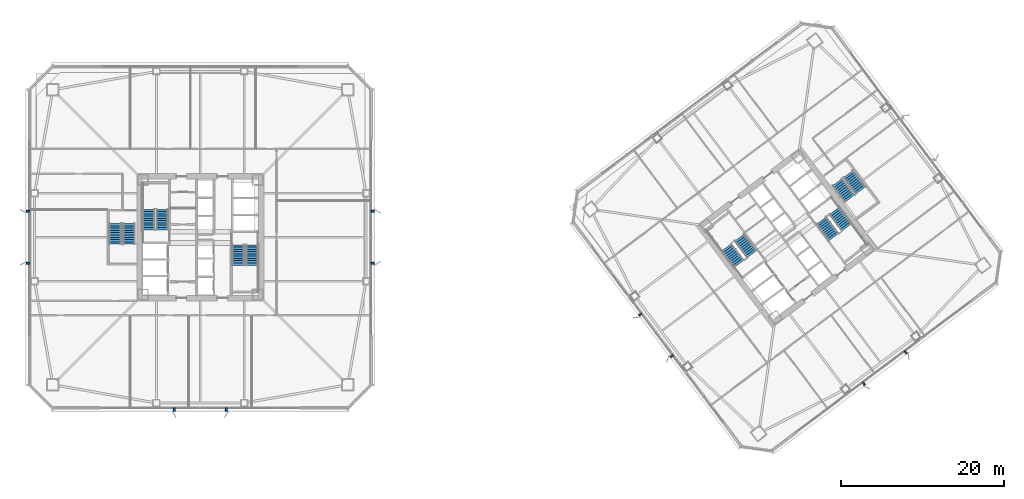
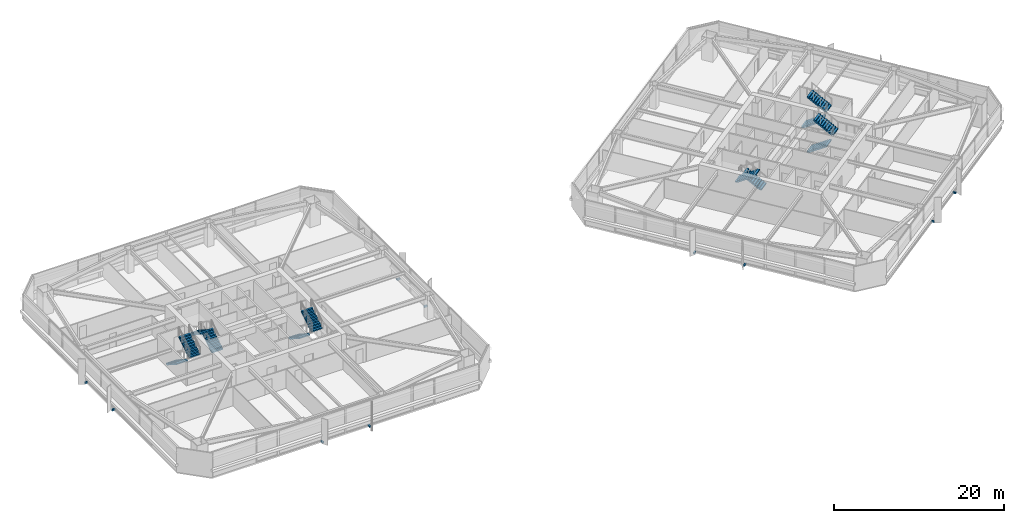
# One storey, part 40 of 49: 12 stair flights, 10 discrete accessories, 6 elements without a shape of their own.
"""IFC4 building model written with IfcOpenShell, lengths in metres."""

import ifcopenshell
import ifcopenshell.guid

model = None  # the IFC model being written
_history = None  # IfcOwnerHistory: only IFC2X3 demands one
_inside = {}  # id of a spatial element -> (the spatial element, [elements in it])
_under = {}  # id of a project, library or spatial element -> (it, [spatial elements below it])
_declared = {}  # id of a project -> (the project, [libraries it declares])
_typed = {}  # id of a type object -> (the type object, [elements of that type])
_made_of = {}  # id of a material, layer set ... -> (it, [elements and type objects made of it])


def new_model(schema):
    """Start an empty IFC model of exactly this schema.

    Asked for "IFC4X3", IfcOpenShell would pick the latest addendum, in which some entities
    have other attributes; the version numbers below select the first issue.
    IFC2X3 requires an IfcOwnerHistory on every rooted entity: one is made here for all.
    """
    global model, _history
    if schema == "IFC4X3":
        model = ifcopenshell.file(schema_version=(4, 3, 0, 0))
    else:
        model = ifcopenshell.file(schema=schema)
    _inside.clear()
    _under.clear()
    _declared.clear()
    _typed.clear()
    _made_of.clear()
    _history = None
    if model.schema == "IFC2X3":
        org = make("IfcOrganization", Name="unknown")
        user = make(
            "IfcPersonAndOrganization",
            ThePerson=make("IfcPerson", FamilyName="unknown"),
            TheOrganization=org,
        )
        app = make(
            "IfcApplication",
            ApplicationDeveloper=org,
            Version="unknown",
            ApplicationFullName="unknown",
            ApplicationIdentifier="unknown",
        )
        _history = make(
            "IfcOwnerHistory",
            OwningUser=user,
            OwningApplication=app,
            ChangeAction="ADDED",
            CreationDate=0,
        )
    return model


def make(cls, **values):
    """One entity of the class cls with the attributes given. An attribute that is None is left unset."""
    return model.create_entity(
        cls, **{name: value for name, value in values.items() if value is not None}
    )


def rooted(cls, **values):
    """An entity with a GlobalId (a new one), such as an element, a storey or a relation."""
    return make(cls, GlobalId=ifcopenshell.guid.new(), OwnerHistory=_history, **values)


def si_unit(unit_type, name, prefix=None):
    """IfcSIUnit, for example si_unit("LENGTHUNIT", "METRE", prefix="MILLI")."""
    return make("IfcSIUnit", UnitType=unit_type, Prefix=prefix, Name=name)


def assignment(units):
    """IfcUnitAssignment: the units of a project."""
    return None if units is None else make("IfcUnitAssignment", Units=units)


def point(xyz):
    """IfcCartesianPoint."""
    return None if xyz is None else make("IfcCartesianPoint", Coordinates=xyz)


def direction(xyz):
    """IfcDirection."""
    return None if xyz is None else make("IfcDirection", DirectionRatios=xyz)


def frame(location, z_axis=None, x_axis=None):
    """IfcAxis2Placement3D, a coordinate frame: its origin and axes. An axis left out is left unset."""
    return make(
        "IfcAxis2Placement3D",
        Location=point(location),
        Axis=direction(z_axis),
        RefDirection=direction(x_axis),
    )


def frame_2d(location, x_axis=None):
    """IfcAxis2Placement2D, a coordinate frame in the plane: its origin and x axis."""
    return make(
        "IfcAxis2Placement2D", Location=point(location), RefDirection=direction(x_axis)
    )


def origin():
    """The frame at (0, 0, 0) with its axes left unset."""
    return frame((0.0, 0.0, 0.0))


def origin_2d():
    """The frame at (0, 0) in the plane with its x axis left unset."""
    return frame_2d((0.0, 0.0))


def place(relative_to, where):
    """IfcLocalPlacement: puts the frame where relative to a parent placement (None: the world)."""
    return make(
        "IfcLocalPlacement", PlacementRelTo=relative_to, RelativePlacement=where
    )


def context(
    kind, dimensions, precision=None, world=None, true_north=None, identifier=None
):
    """IfcGeometricRepresentationContext, for example the 3D "Model" context."""
    return make(
        "IfcGeometricRepresentationContext",
        ContextIdentifier=identifier,
        ContextType=kind,
        CoordinateSpaceDimension=dimensions,
        Precision=precision,
        WorldCoordinateSystem=world,
        TrueNorth=true_north,
    )


def subcontext(parent, identifier, kind, view, scale=None):
    """IfcGeometricRepresentationSubContext, for example "Body" below "Model"."""
    return make(
        "IfcGeometricRepresentationSubContext",
        ContextIdentifier=identifier,
        ContextType=kind,
        ParentContext=parent,
        TargetScale=scale,
        TargetView=view,
    )


def project(units=None, contexts=None):
    """IfcProject with its units and contexts."""
    return rooted(
        "IfcProject",
        Name="project",
        RepresentationContexts=contexts,
        UnitsInContext=assignment(units),
    )


def spatial(cls, under=None, at=None, **own):
    """A site, building, storey or space (cls), placed at a placement, below another one or the project."""
    s = rooted(cls, ObjectPlacement=at, **own)
    if under is not None:
        _under.setdefault(under.id(), (under, []))[1].append(s)
    return s


def polyline(points):
    """IfcPolyline through the points."""
    return make("IfcPolyline", Points=[point(p) for p in points])


def profile(cls, at=None, kind="AREA", **sizes):
    """A parametric profile (cls). Its sizes go by their IFC names, for example OverallWidth=200.0."""
    return make(cls, ProfileType=kind, Position=at, **sizes)


def rectangle(**sizes):
    """IfcRectangleProfileDef."""
    return profile("IfcRectangleProfileDef", **sizes)


def outline(outer, holes=None, kind="AREA"):
    """IfcArbitraryClosedProfileDef: a profile drawn as a closed curve; with holes, ...WithVoids."""
    if holes is None:
        return make("IfcArbitraryClosedProfileDef", ProfileType=kind, OuterCurve=outer)
    return make(
        "IfcArbitraryProfileDefWithVoids",
        ProfileType=kind,
        OuterCurve=outer,
        InnerCurves=holes,
    )


def extrude(swept, where, along, depth):
    """IfcExtrudedAreaSolid: the profile swept, set in the frame where, extruded along a direction by depth."""
    return make(
        "IfcExtrudedAreaSolid",
        SweptArea=swept,
        Position=where,
        ExtrudedDirection=direction(along),
        Depth=depth,
    )


def shape(context_of_items, identifier, shape_type, items):
    """IfcShapeRepresentation: the items that make up one representation, for example the "Body"."""
    return make(
        "IfcShapeRepresentation",
        ContextOfItems=context_of_items,
        RepresentationIdentifier=identifier,
        RepresentationType=shape_type,
        Items=items,
    )


def material(Name=None, Category=None):
    """IfcMaterial."""
    return make("IfcMaterial", Name=Name, Category=Category)


def made_of(thing, what):
    """Note that an element or type object is made of a material, layer set ...; save() writes the relation."""
    if what is not None:
        _made_of.setdefault(what.id(), (what, []))[1].append(thing)
    return thing


def type_object(cls, material=None, **own):
    """A type object (cls), such as IfcWallType, which elements share."""
    return made_of(rooted(cls, **own), material)


def element(
    cls,
    number,
    at=None,
    inside=None,
    cuts=None,
    type_object=None,
    material=None,
    context=None,
    identifier="Body",
    shape_type=None,
    held_by="IfcProductDefinitionShape",
    body=None,
    shapes=None,
    **own,
):
    """One element of the class cls, such as IfcWall. Its Tag is "e" and its number.

    at: its placement. inside: the storey or other place that contains it. cuts: it is an
    opening in that element (IfcRelVoidsElement). A single representation is given by context,
    identifier, shape_type and body (its items); several are given by shapes. held_by: the class
    of the entity that holds the representations. save() writes the other relations.
    """
    e = rooted(cls, Tag="e%d" % number, ObjectPlacement=at, **own)
    if body is not None:
        shapes = [shape(context, identifier, shape_type, body)]
    if shapes is not None:
        e.Representation = make(held_by, Representations=shapes)
    if inside is not None:
        _inside.setdefault(inside.id(), (inside, []))[1].append(e)
    if cuts is not None:
        rooted(
            "IfcRelVoidsElement", RelatingBuildingElement=cuts, RelatedOpeningElement=e
        )
    if type_object is not None:
        _typed.setdefault(type_object.id(), (type_object, []))[1].append(e)
    return made_of(e, material)


def aggregate(whole, parts):
    """IfcRelAggregates: a whole, such as a stair, and the parts it consists of."""
    return rooted("IfcRelAggregates", RelatingObject=whole, RelatedObjects=parts)


def save(model, path):
    """Write the relations noted so far, then the file.

    IfcRelAggregates (storeys below a building ...), IfcRelContainedInSpatialStructure (elements
    in a storey), IfcRelDefinesByType, IfcRelAssociatesMaterial and IfcRelDeclares: one each for
    every whole, place, type object, material and project.
    """
    for whole, parts in _under.values():
        aggregate(whole, parts)
    for where, things in _inside.values():
        rooted(
            "IfcRelContainedInSpatialStructure",
            RelatedElements=things,
            RelatingStructure=where,
        )
    for kind, things in _typed.values():
        rooted("IfcRelDefinesByType", RelatedObjects=things, RelatingType=kind)
    for what, things in _made_of.values():
        rooted("IfcRelAssociatesMaterial", RelatedObjects=things, RelatingMaterial=what)
    for by, libraries in _declared.values():
        rooted("IfcRelDeclares", RelatingContext=by, RelatedDefinitions=libraries)
    model.write(path)


model = new_model("IFC4")

# Units and contexts
model_context = context("Model", 3, precision=1e-05, world=origin(), true_north=direction((0.0, 1.0)))
body_context = subcontext(model_context, "Body", "Model", "MODEL_VIEW")
ifc_project = project(units=[si_unit("LENGTHUNIT", "METRE"), si_unit("AREAUNIT", "SQUARE_METRE"), si_unit("VOLUMEUNIT", "CUBIC_METRE"), si_unit("PLANEANGLEUNIT", "RADIAN"), si_unit("MASSUNIT", "GRAM", prefix="KILO")], contexts=[model_context])

# Site, building, storey
site_placement = place(None, origin())
site = spatial("IfcSite", under=ifc_project, at=site_placement, CompositionType="ELEMENT")
building_placement = place(site_placement, origin())
building = spatial("IfcBuilding", under=site, at=building_placement, Name="Tashvorn Skyway Center", CompositionType="ELEMENT")
storey_placement = place(building_placement, frame((0.0, 0.0, 70.75)))
storey = spatial("IfcBuildingStorey", under=building, at=storey_placement, Name="L18", CompositionType="ELEMENT", Elevation=70.75)

# Stair, stair flights
ifc_material_1 = material(Name="Concrete C40/50", Category="concrete")
stair_type = type_object("IfcStairType", Name="STAIR-CORE-1500", PredefinedType="HALF_TURN_STAIR", material=ifc_material_1)
stair_1_placement = place(storey_placement, origin())
stair_1 = element("IfcStair", 1, at=stair_1_placement, inside=storey, type_object=stair_type, Name="L18 Tower 1 Exit Stair 1", PredefinedType="HALF_TURN_STAIR")
stair_flight_type = type_object("IfcStairFlightType", Name="SFLIGHT-1500", PredefinedType="STRAIGHT", material=ifc_material_1)
stair_flight_1_placement = place(storey_placement, frame((37.35009765625, 32.919921875, 0.0), z_axis=(0.0, 0.0, 1.0), x_axis=(0.0, 1.0, 0.0)))
stair_flight_1 = element("IfcStairFlight", 2, at=stair_flight_1_placement, type_object=stair_flight_type, Name="ST-T1-1 flight 1", NumberOfRisers=10, NumberOfTreads=9, PredefinedType="STRAIGHT", RiserHeight=0.1775, TreadLength=0.28, context=body_context, shape_type="SweptSolid", body=[
    extrude(outline(polyline([(0.0, 0.0), (0.0, 0.177490234375), (0.280029296875, 0.177490234375), (0.280029296875, 0.35498046875), (0.56005859375, 0.35498046875), (0.56005859375, 0.532470703125), (0.840087890625, 0.532470703125), (0.840087890625, 0.7099609375), (1.1201171875, 0.7099609375), (1.1201171875, 0.887451171875), (1.39990234375, 0.887451171875), (1.39990234375, 1.06494140625), (1.679931640625, 1.06494140625), (1.679931640625, 1.242431640625), (1.9599609375, 1.242431640625), (1.9599609375, 1.419921875), (2.239990234375, 1.419921875), (2.239990234375, 1.597412109375), (2.52001953125, 1.597412109375), (2.52001953125, 1.77490234375), (2.52001953125, 1.419921875), (0.280029296875, 0.0), (0.0, 0.0)])), frame((0.0, 0.75, 0.0), z_axis=(0.0, -1.0, 0.0), x_axis=(1.0, 0.0, 0.0)), (0.0, 0.0, 1.0), 1.5),
])
stair_flight_2_placement = place(storey_placement, frame((35.64990234375, 35.43994140625, 1.77490234375), z_axis=(0.0, 0.0, 1.0), x_axis=(0.0, -1.0, 0.0)))
stair_flight_2 = element("IfcStairFlight", 3, at=stair_flight_2_placement, type_object=stair_flight_type, Name="ST-T1-1 flight 2", NumberOfRisers=10, NumberOfTreads=9, PredefinedType="STRAIGHT", RiserHeight=0.1775, TreadLength=0.28, context=body_context, shape_type="SweptSolid", body=[
    extrude(outline(polyline([(0.0, 0.0), (0.0, 0.177490234375), (0.280029296875, 0.177490234375), (0.280029296875, 0.35498046875), (0.56005859375, 0.35498046875), (0.56005859375, 0.532470703125), (0.840087890625, 0.532470703125), (0.840087890625, 0.7099609375), (1.1201171875, 0.7099609375), (1.1201171875, 0.887451171875), (1.39990234375, 0.887451171875), (1.39990234375, 1.06494140625), (1.679931640625, 1.06494140625), (1.679931640625, 1.242431640625), (1.9599609375, 1.242431640625), (1.9599609375, 1.419921875), (2.239990234375, 1.419921875), (2.239990234375, 1.597412109375), (2.52001953125, 1.597412109375), (2.52001953125, 1.77490234375), (2.52001953125, 1.419921875), (0.280029296875, 0.0), (0.0, 0.0)])), frame((0.0, 0.75, 0.0), z_axis=(0.0, -1.0, 0.0), x_axis=(1.0, 0.0, 0.0)), (0.0, 0.0, 1.0), 1.5),
])
aggregate(stair_1, [stair_flight_1, stair_flight_2])

stair_2_placement = place(storey_placement, origin())
stair_2 = element("IfcStair", 4, at=stair_2_placement, inside=storey, type_object=stair_type, Name="L18 Tower 1 Exit Stair 2", PredefinedType="HALF_TURN_STAIR")
stair_flight_3_placement = place(storey_placement, frame((46.64990234375, 31.080078125, 0.0), z_axis=(0.0, 0.0, 1.0), x_axis=(0.0, -1.0, 0.0)))
stair_flight_3 = element("IfcStairFlight", 5, at=stair_flight_3_placement, type_object=stair_flight_type, Name="ST-T1-2 flight 1", NumberOfRisers=10, NumberOfTreads=9, PredefinedType="STRAIGHT", RiserHeight=0.1775, TreadLength=0.28, context=body_context, shape_type="SweptSolid", body=[
    extrude(outline(polyline([(0.0, 0.0), (0.0, 0.177490234375), (0.280029296875, 0.177490234375), (0.280029296875, 0.35498046875), (0.56005859375, 0.35498046875), (0.56005859375, 0.532470703125), (0.840087890625, 0.532470703125), (0.840087890625, 0.7099609375), (1.1201171875, 0.7099609375), (1.1201171875, 0.887451171875), (1.39990234375, 0.887451171875), (1.39990234375, 1.06494140625), (1.679931640625, 1.06494140625), (1.679931640625, 1.242431640625), (1.9599609375, 1.242431640625), (1.9599609375, 1.419921875), (2.239990234375, 1.419921875), (2.239990234375, 1.597412109375), (2.52001953125, 1.597412109375), (2.52001953125, 1.77490234375), (2.52001953125, 1.419921875), (0.280029296875, 0.0), (0.0, 0.0)])), frame((0.0, 0.75, 0.0), z_axis=(0.0, -1.0, 0.0), x_axis=(1.0, 0.0, 0.0)), (0.0, 0.0, 1.0), 1.5),
])
stair_flight_4_placement = place(storey_placement, frame((48.35009765625, 28.56005859375, 1.77490234375), z_axis=(0.0, 0.0, 1.0), x_axis=(0.0, 1.0, 0.0)))
stair_flight_4 = element("IfcStairFlight", 6, at=stair_flight_4_placement, type_object=stair_flight_type, Name="ST-T1-2 flight 2", NumberOfRisers=10, NumberOfTreads=9, PredefinedType="STRAIGHT", RiserHeight=0.1775, TreadLength=0.28, context=body_context, shape_type="SweptSolid", body=[
    extrude(outline(polyline([(0.0, 0.0), (0.0, 0.177490234375), (0.280029296875, 0.177490234375), (0.280029296875, 0.35498046875), (0.56005859375, 0.35498046875), (0.56005859375, 0.532470703125), (0.840087890625, 0.532470703125), (0.840087890625, 0.7099609375), (1.1201171875, 0.7099609375), (1.1201171875, 0.887451171875), (1.39990234375, 0.887451171875), (1.39990234375, 1.06494140625), (1.679931640625, 1.06494140625), (1.679931640625, 1.242431640625), (1.9599609375, 1.242431640625), (1.9599609375, 1.419921875), (2.239990234375, 1.419921875), (2.239990234375, 1.597412109375), (2.52001953125, 1.597412109375), (2.52001953125, 1.77490234375), (2.52001953125, 1.419921875), (0.280029296875, 0.0), (0.0, 0.0)])), frame((0.0, 0.75, 0.0), z_axis=(0.0, -1.0, 0.0), x_axis=(1.0, 0.0, 0.0)), (0.0, 0.0, 1.0), 1.5),
])
aggregate(stair_2, [stair_flight_3, stair_flight_4])

stair_3_placement = place(storey_placement, origin())
stair_3 = element("IfcStair", 7, at=stair_3_placement, inside=storey, type_object=stair_type, Name="L18 Tower 2 Exit Stair 1", PredefinedType="HALF_TURN_STAIR")
stair_flight_5_placement = place(storey_placement, frame((109.72802734375, 29.946044921875, 0.0), z_axis=(0.0, 0.0, 1.0), x_axis=(-0.600000004945, 0.799999996291, 0.0)))
stair_flight_5 = element("IfcStairFlight", 8, at=stair_flight_5_placement, type_object=stair_flight_type, Name="ST-T2-1 flight 1", NumberOfRisers=10, NumberOfTreads=9, PredefinedType="STRAIGHT", RiserHeight=0.1775, TreadLength=0.28, context=body_context, shape_type="SweptSolid", body=[
    extrude(outline(polyline([(0.0, 0.0), (0.0, 0.177490234375), (0.280029296875, 0.177490234375), (0.280029296875, 0.35498046875), (0.56005859375, 0.35498046875), (0.56005859375, 0.532470703125), (0.840087890625, 0.532470703125), (0.840087890625, 0.7099609375), (1.1201171875, 0.7099609375), (1.1201171875, 0.887451171875), (1.39990234375, 0.887451171875), (1.39990234375, 1.06494140625), (1.679931640625, 1.06494140625), (1.679931640625, 1.242431640625), (1.9599609375, 1.242431640625), (1.9599609375, 1.419921875), (2.239990234375, 1.419921875), (2.239990234375, 1.597412109375), (2.52001953125, 1.597412109375), (2.52001953125, 1.77490234375), (2.52001953125, 1.419921875), (0.280029296875, 0.0), (0.0, 0.0)])), frame((0.0, 0.75, 0.0), z_axis=(0.0, -1.0, 0.0), x_axis=(1.0, 0.0, 0.0)), (0.0, 0.0, 1.0), 1.5),
])
stair_flight_6_placement = place(storey_placement, frame((106.632080078125, 30.77392578125, 1.77490234375), z_axis=(0.0, 0.0, 1.0), x_axis=(0.600000004945, -0.799999996291, 0.0)))
stair_flight_6 = element("IfcStairFlight", 9, at=stair_flight_6_placement, type_object=stair_flight_type, Name="ST-T2-1 flight 2", NumberOfRisers=10, NumberOfTreads=9, PredefinedType="STRAIGHT", RiserHeight=0.1775, TreadLength=0.28, context=body_context, shape_type="SweptSolid", body=[
    extrude(outline(polyline([(0.0, 0.0), (0.0, 0.177490234375), (0.280029296875, 0.177490234375), (0.280029296875, 0.35498046875), (0.56005859375, 0.35498046875), (0.56005859375, 0.532470703125), (0.840087890625, 0.532470703125), (0.840087890625, 0.7099609375), (1.1201171875, 0.7099609375), (1.1201171875, 0.887451171875), (1.39990234375, 0.887451171875), (1.39990234375, 1.06494140625), (1.679931640625, 1.06494140625), (1.679931640625, 1.242431640625), (1.9599609375, 1.242431640625), (1.9599609375, 1.419921875), (2.239990234375, 1.419921875), (2.239990234375, 1.597412109375), (2.52001953125, 1.597412109375), (2.52001953125, 1.77490234375), (2.52001953125, 1.419921875), (0.280029296875, 0.0), (0.0, 0.0)])), frame((0.0, 0.75, 0.0), z_axis=(0.0, -1.0, 0.0), x_axis=(1.0, 0.0, 0.0)), (0.0, 0.0, 1.0), 1.5),
])
aggregate(stair_3, [stair_flight_5, stair_flight_6])

stair_4_placement = place(storey_placement, origin())
stair_4 = element("IfcStair", 10, at=stair_4_placement, inside=storey, type_object=stair_type, Name="L18 Tower 2 Exit Stair 2", PredefinedType="HALF_TURN_STAIR")
stair_flight_7_placement = place(storey_placement, frame((118.27197265625, 34.053955078125, 0.0), z_axis=(0.0, 0.0, 1.0), x_axis=(0.600000004945, -0.799999996291, 0.0)))
stair_flight_7 = element("IfcStairFlight", 11, at=stair_flight_7_placement, type_object=stair_flight_type, Name="ST-T2-2 flight 1", NumberOfRisers=10, NumberOfTreads=9, PredefinedType="STRAIGHT", RiserHeight=0.1775, TreadLength=0.28, context=body_context, shape_type="SweptSolid", body=[
    extrude(outline(polyline([(0.0, 0.0), (0.0, 0.177490234375), (0.280029296875, 0.177490234375), (0.280029296875, 0.35498046875), (0.56005859375, 0.35498046875), (0.56005859375, 0.532470703125), (0.840087890625, 0.532470703125), (0.840087890625, 0.7099609375), (1.1201171875, 0.7099609375), (1.1201171875, 0.887451171875), (1.39990234375, 0.887451171875), (1.39990234375, 1.06494140625), (1.679931640625, 1.06494140625), (1.679931640625, 1.242431640625), (1.9599609375, 1.242431640625), (1.9599609375, 1.419921875), (2.239990234375, 1.419921875), (2.239990234375, 1.597412109375), (2.52001953125, 1.597412109375), (2.52001953125, 1.77490234375), (2.52001953125, 1.419921875), (0.280029296875, 0.0), (0.0, 0.0)])), frame((0.0, 0.75, 0.0), z_axis=(0.0, -1.0, 0.0), x_axis=(1.0, 0.0, 0.0)), (0.0, 0.0, 1.0), 1.5),
])
stair_flight_8_placement = place(storey_placement, frame((121.367919921875, 33.22607421875, 1.77490234375), z_axis=(0.0, 0.0, 1.0), x_axis=(-0.600000004945, 0.799999996291, 0.0)))
stair_flight_8 = element("IfcStairFlight", 12, at=stair_flight_8_placement, type_object=stair_flight_type, Name="ST-T2-2 flight 2", NumberOfRisers=10, NumberOfTreads=9, PredefinedType="STRAIGHT", RiserHeight=0.1775, TreadLength=0.28, context=body_context, shape_type="SweptSolid", body=[
    extrude(outline(polyline([(0.0, 0.0), (0.0, 0.177490234375), (0.280029296875, 0.177490234375), (0.280029296875, 0.35498046875), (0.56005859375, 0.35498046875), (0.56005859375, 0.532470703125), (0.840087890625, 0.532470703125), (0.840087890625, 0.7099609375), (1.1201171875, 0.7099609375), (1.1201171875, 0.887451171875), (1.39990234375, 0.887451171875), (1.39990234375, 1.06494140625), (1.679931640625, 1.06494140625), (1.679931640625, 1.242431640625), (1.9599609375, 1.242431640625), (1.9599609375, 1.419921875), (2.239990234375, 1.419921875), (2.239990234375, 1.597412109375), (2.52001953125, 1.597412109375), (2.52001953125, 1.77490234375), (2.52001953125, 1.419921875), (0.280029296875, 0.0), (0.0, 0.0)])), frame((0.0, 0.75, 0.0), z_axis=(0.0, -1.0, 0.0), x_axis=(1.0, 0.0, 0.0)), (0.0, 0.0, 1.0), 1.5),
])
aggregate(stair_4, [stair_flight_7, stair_flight_8])

stair_5_placement = place(storey_placement, origin())
stair_5 = element("IfcStair", 13, at=stair_5_placement, inside=storey, type_object=stair_type, Name="L18 Tower 1 Exit Stair 3", PredefinedType="HALF_TURN_STAIR")
stair_flight_9_placement = place(storey_placement, frame((31.550048828125, 33.679931640625, 0.0), z_axis=(0.0, 0.0, 1.0), x_axis=(0.0, -1.0, 0.0)))
stair_flight_9 = element("IfcStairFlight", 14, at=stair_flight_9_placement, type_object=stair_flight_type, Name="ST-T1-3 flight 1", NumberOfRisers=10, NumberOfTreads=9, PredefinedType="STRAIGHT", RiserHeight=0.1775, TreadLength=0.28, context=body_context, shape_type="SweptSolid", body=[
    extrude(outline(polyline([(0.0, 0.0), (0.0, 0.177490234375), (0.280029296875, 0.177490234375), (0.280029296875, 0.35498046875), (0.56005859375, 0.35498046875), (0.56005859375, 0.532470703125), (0.840087890625, 0.532470703125), (0.840087890625, 0.7099609375), (1.1201171875, 0.7099609375), (1.1201171875, 0.887451171875), (1.39990234375, 0.887451171875), (1.39990234375, 1.06494140625), (1.679931640625, 1.06494140625), (1.679931640625, 1.242431640625), (1.9599609375, 1.242431640625), (1.9599609375, 1.419921875), (2.239990234375, 1.419921875), (2.239990234375, 1.597412109375), (2.52001953125, 1.597412109375), (2.52001953125, 1.77490234375), (2.52001953125, 1.419921875), (0.280029296875, 0.0), (0.0, 0.0)])), frame((0.0, 0.75, 0.0), z_axis=(0.0, -1.0, 0.0), x_axis=(1.0, 0.0, 0.0)), (0.0, 0.0, 1.0), 1.5),
])
stair_flight_10_placement = place(storey_placement, frame((33.25, 31.159912109375, 1.77490234375), z_axis=(0.0, 0.0, 1.0), x_axis=(0.0, 1.0, 0.0)))
stair_flight_10 = element("IfcStairFlight", 15, at=stair_flight_10_placement, type_object=stair_flight_type, Name="ST-T1-3 flight 2", NumberOfRisers=10, NumberOfTreads=9, PredefinedType="STRAIGHT", RiserHeight=0.1775, TreadLength=0.28, context=body_context, shape_type="SweptSolid", body=[
    extrude(outline(polyline([(0.0, 0.0), (0.0, 0.177490234375), (0.280029296875, 0.177490234375), (0.280029296875, 0.35498046875), (0.56005859375, 0.35498046875), (0.56005859375, 0.532470703125), (0.840087890625, 0.532470703125), (0.840087890625, 0.7099609375), (1.1201171875, 0.7099609375), (1.1201171875, 0.887451171875), (1.39990234375, 0.887451171875), (1.39990234375, 1.06494140625), (1.679931640625, 1.06494140625), (1.679931640625, 1.242431640625), (1.9599609375, 1.242431640625), (1.9599609375, 1.419921875), (2.239990234375, 1.419921875), (2.239990234375, 1.597412109375), (2.52001953125, 1.597412109375), (2.52001953125, 1.77490234375), (2.52001953125, 1.419921875), (0.280029296875, 0.0), (0.0, 0.0)])), frame((0.0, 0.75, 0.0), z_axis=(0.0, -1.0, 0.0), x_axis=(1.0, 0.0, 0.0)), (0.0, 0.0, 1.0), 1.5),
])
aggregate(stair_5, [stair_flight_9, stair_flight_10])

stair_6_placement = place(storey_placement, origin())
stair_6 = element("IfcStair", 16, at=stair_6_placement, inside=storey, type_object=stair_type, Name="L18 Tower 2 Exit Stair 3", PredefinedType="HALF_TURN_STAIR")
stair_flight_11_placement = place(storey_placement, frame((120.216064453125, 38.761962890625, 0.0), z_axis=(0.0, 0.0, 1.0), x_axis=(0.600000004945, -0.799999996291, 0.0)))
stair_flight_11 = element("IfcStairFlight", 17, at=stair_flight_11_placement, type_object=stair_flight_type, Name="ST-T2-3 flight 1", NumberOfRisers=10, NumberOfTreads=9, PredefinedType="STRAIGHT", RiserHeight=0.1775, TreadLength=0.28, context=body_context, shape_type="SweptSolid", body=[
    extrude(outline(polyline([(0.0, 0.0), (0.0, 0.177490234375), (0.280029296875, 0.177490234375), (0.280029296875, 0.35498046875), (0.56005859375, 0.35498046875), (0.56005859375, 0.532470703125), (0.840087890625, 0.532470703125), (0.840087890625, 0.7099609375), (1.1201171875, 0.7099609375), (1.1201171875, 0.887451171875), (1.39990234375, 0.887451171875), (1.39990234375, 1.06494140625), (1.679931640625, 1.06494140625), (1.679931640625, 1.242431640625), (1.9599609375, 1.242431640625), (1.9599609375, 1.419921875), (2.239990234375, 1.419921875), (2.239990234375, 1.597412109375), (2.52001953125, 1.597412109375), (2.52001953125, 1.77490234375), (2.52001953125, 1.419921875), (0.280029296875, 0.0), (0.0, 0.0)])), frame((0.0, 0.75, 0.0), z_axis=(0.0, -1.0, 0.0), x_axis=(1.0, 0.0, 0.0)), (0.0, 0.0, 1.0), 1.5),
])
stair_flight_12_placement = place(storey_placement, frame((123.087890625, 37.76611328125, 1.77490234375), z_axis=(0.0, 0.0, 1.0), x_axis=(-0.600000004945, 0.799999996291, 0.0)))
stair_flight_12 = element("IfcStairFlight", 18, at=stair_flight_12_placement, type_object=stair_flight_type, Name="ST-T2-3 flight 2", NumberOfRisers=10, NumberOfTreads=9, PredefinedType="STRAIGHT", RiserHeight=0.1775, TreadLength=0.28, context=body_context, shape_type="SweptSolid", body=[
    extrude(outline(polyline([(0.0, 0.0), (0.0, 0.177490234375), (0.280029296875, 0.177490234375), (0.280029296875, 0.35498046875), (0.56005859375, 0.35498046875), (0.56005859375, 0.532470703125), (0.840087890625, 0.532470703125), (0.840087890625, 0.7099609375), (1.1201171875, 0.7099609375), (1.1201171875, 0.887451171875), (1.39990234375, 0.887451171875), (1.39990234375, 1.06494140625), (1.679931640625, 1.06494140625), (1.679931640625, 1.242431640625), (1.9599609375, 1.242431640625), (1.9599609375, 1.419921875), (2.239990234375, 1.419921875), (2.239990234375, 1.597412109375), (2.52001953125, 1.597412109375), (2.52001953125, 1.77490234375), (2.52001953125, 1.419921875), (0.280029296875, 0.0), (0.0, 0.0)])), frame((0.0, 0.75, 0.0), z_axis=(0.0, -1.0, 0.0), x_axis=(1.0, 0.0, 0.0)), (0.0, 0.0, 1.0), 1.5),
])
aggregate(stair_6, [stair_flight_11, stair_flight_12])

# Discrete accessories
ifc_material_2 = material(Name="Steel ASTM A572 Grade 50", Category="steel")
discrete_accessory_type = type_object("IfcDiscreteAccessoryType", Name="ACC-BRACKET-350", PredefinedType="BRACKET", material=ifc_material_2)
for number, where, z_axis, x_axis, name in (
    (19, (38.800048828125, 10.840087890625, -0.169921875), (0.0, 0.0, 1.0), (-1.0, 0.0, 0.0), "Tower 1 L18 Solar Screen Fixing Bracket S1"),
    (20, (45.199951171875, 10.840087890625, -0.169921875), (0.0, 0.0, 1.0), (-1.0, 0.0, 0.0), "Tower 1 L18 Solar Screen Fixing Bracket S2"),
    (21, (20.840087890625, 28.800048828125, -0.169921875), (0.0, 0.0, 1.0), (0.0, 1.0, 0.0), "Tower 1 L18 Solar Screen Fixing Bracket W1"),
    (22, (20.840087890625, 35.199951171875, -0.169921875), (0.0, 0.0, 1.0), (0.0, 1.0, 0.0), "Tower 1 L18 Solar Screen Fixing Bracket W2"),
    (23, (63.159912109375, 28.800048828125, -0.169921875), (0.0, 0.0, 1.0), (0.0, -1.0, 0.0), "Tower 1 L18 Solar Screen Fixing Bracket E1"),
    (24, (63.159912109375, 35.199951171875, -0.169921875), (0.0, 0.0, 1.0), (0.0, -1.0, 0.0), "Tower 1 L18 Solar Screen Fixing Bracket E2"),
    (25, (123.47607421875, 14.031982421875, -0.169921875), (0.0, 0.0, 1.0), (-0.799999996291, -0.600000004945, 0.0), "Tower 2 L18 Solar Screen Fixing Bracket S1"),
    (26, (128.595947265625, 17.8720703125, -0.169921875), (0.0, 0.0, 1.0), (-0.799999996291, -0.600000004945, 0.0), "Tower 2 L18 Solar Screen Fixing Bracket S2"),
    (27, (99.8720703125, 17.404052734375, -0.169921875), (0.0, 0.0, 1.0), (-0.600000004945, 0.799999996291, 0.0), "Tower 2 L18 Solar Screen Fixing Bracket W1"),
    (28, (96.031982421875, 22.52392578125, -0.169921875), (0.0, 0.0, 1.0), (-0.600000004945, 0.799999996291, 0.0), "Tower 2 L18 Solar Screen Fixing Bracket W2"),
):
    element("IfcDiscreteAccessory", number, at=place(storey_placement, frame(where, z_axis=z_axis, x_axis=x_axis)), inside=storey, type_object=discrete_accessory_type, Name=name, PredefinedType="BRACKET", context=body_context, shape_type="SweptSolid", body=[
        extrude(rectangle(XDim=0.219970703125, YDim=0.43994140625, at=origin_2d()), origin(), (0.0, 0.0, 1.0), 0.219970703125),
    ])

save(model, "model.ifc")
